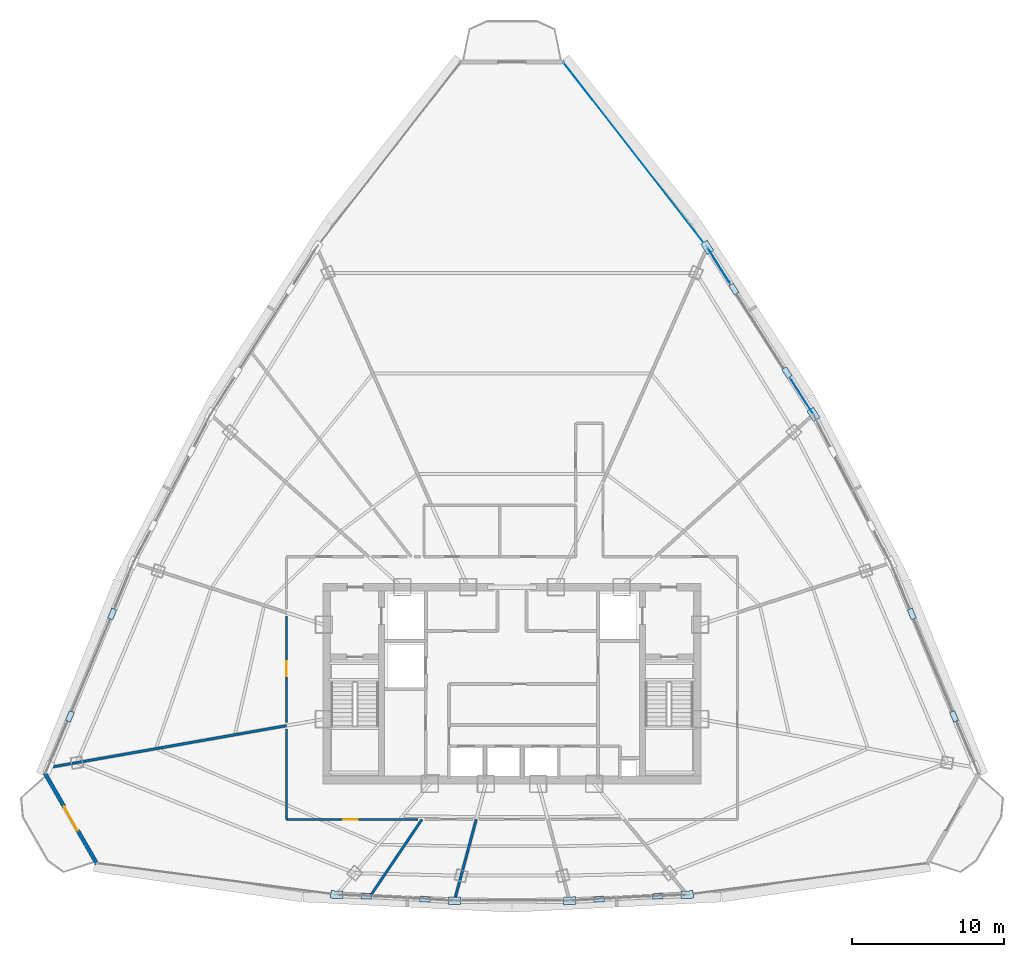
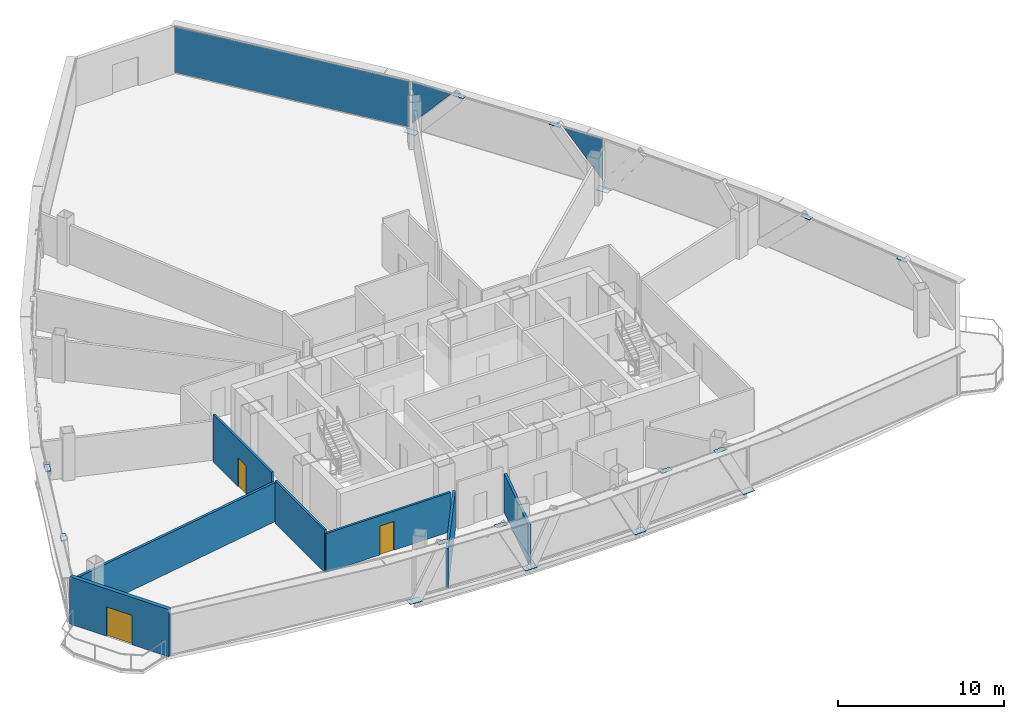
# One storey, part 29 of 35: 19 plates, 7 walls, 3 doors, 3 openings, 2 elements without a shape of their own.
"""IFC4 building model written with IfcOpenShell, lengths in metres."""

from ifc_helpers import new_model, si_unit, direction, frame, frame_2d, origin, origin_with_axes, origin_2d, place, context, subcontext, project, spatial, polyline, rectangle, outline, extrude, source, transform, mapped, material, layer, layer_set, type_object, element, fill, aggregate, save


model = new_model("IFC4")

# Units and contexts
model_context = context("Model", 3, precision=1e-05, world=origin(), true_north=direction((0.0, 1.0)))
body_context = subcontext(model_context, "Body", "Model", "MODEL_VIEW")
ifc_project = project(units=[si_unit("LENGTHUNIT", "METRE"), si_unit("AREAUNIT", "SQUARE_METRE"), si_unit("VOLUMEUNIT", "CUBIC_METRE"), si_unit("PLANEANGLEUNIT", "RADIAN"), si_unit("MASSUNIT", "GRAM", prefix="KILO"), si_unit("THERMODYNAMICTEMPERATUREUNIT", "KELVIN"), si_unit("POWERUNIT", "WATT")], contexts=[model_context])

# Site, building, storey
site_placement = place(None, origin())
site = spatial("IfcSite", under=ifc_project, at=site_placement, CompositionType="ELEMENT")
building_placement = place(site_placement, origin())
building = spatial("IfcBuilding", under=site, at=building_placement, Name="Yunzhuo Pagoda Commons", CompositionType="ELEMENT")
storey_placement = place(building_placement, frame((0.0, 0.0, 303.669921875)))
storey = spatial("IfcBuildingStorey", under=building, at=storey_placement, Name="L76", CompositionType="ELEMENT", Elevation=303.669921875)

# Curtain wall, plates
ifc_material_1 = material(Name="Anodized aluminium 6063-T6", Category="aluminium")
ifc_layer_1 = layer(ifc_material_1, 0.139892578125)
ifc_layer_set_1 = layer_set([ifc_layer_1], Name="Anodized aluminium 6063-T6")
curtain_wall_type = type_object("IfcCurtainWallType", Name="CW-HI High-Zone Ribbon Curtain Wall", PredefinedType="NOTDEFINED", material=ifc_layer_set_1)
curtain_wall_1_placement = place(storey_placement, origin())
curtain_wall_1 = element("IfcCurtainWall", 1, at=curtain_wall_1_placement, inside=storey, type_object=curtain_wall_type, Name="L76 curtain wall CW-L76-F2B4", PredefinedType="NOTDEFINED")
ifc_material_2 = material(Name="Tempered low-e double glazing", Category="glass")
ifc_layer_2 = layer(ifc_material_2, 0.02587890625)
ifc_layer_set_2 = layer_set([ifc_layer_2], Name="Tempered low-e double glazing")
plate_type_1 = type_object("IfcPlateType", Name="CW-HI-P Low-E Double Glazing 26", PredefinedType="CURTAIN_PANEL", material=ifc_layer_set_2)
plate_1_placement = place(storey_placement, frame((67.108642578125, 52.74560546875, 1.900390625), z_axis=(0.843909804597, 0.536485080599, 0.0), x_axis=(-0.536485080599, 0.843909804597, 0.0)))
plate_1 = element("IfcPlate", 2, at=plate_1_placement, type_object=plate_type_1, Name="CW panel 1.1 lite 1", PredefinedType="CURTAIN_PANEL", context=body_context, shape_type="SweptSolid", body=[
    extrude(outline(polyline([(-1.32421875, -1.514404296875), (1.32421875, 1.514404296875), (-1.32421875, 1.514404296875), (-1.32421875, -1.514404296875)])), origin(), (0.0, 0.0, 1.0), 0.028076171875),
])
plate_2_placement = place(storey_placement, frame((61.59521484375, 61.418212890625, 1.900390625), z_axis=(0.843909804597, 0.536485080599, 0.0), x_axis=(-0.536485080599, 0.843909804597, 0.0)))
plate_2 = element("IfcPlate", 3, at=plate_2_placement, type_object=plate_type_1, Name="CW panel 1.1 lite 3", PredefinedType="CURTAIN_PANEL", context=body_context, shape_type="SweptSolid", body=[
    extrude(outline(polyline([(-1.32421875, 1.514404296875), (1.32421875, -1.514404296875), (1.32421875, 1.514404296875), (-1.32421875, 1.514404296875)])), origin(), (0.0, 0.0, 1.0), 0.028076171875),
])
aggregate(curtain_wall_1, [plate_1, plate_2])

# Plates
ifc_material_3 = material(Name="Structural steel Q355B", Category="steel")
ifc_layer_3 = layer(ifc_material_3, 0.028076171875)
ifc_layer_set_3 = layer_set([ifc_layer_3], Name="Structural steel Q355B")
plate_type_2 = type_object("IfcPlateType", Name="SP-ND1 Lattice Node Cap Plate 800x500x28", PredefinedType="USERDEFINED", material=ifc_layer_set_3)
shared_shape_1 = source(origin(), body_context, "Body", "SweptSolid", [
    extrude(rectangle(XDim=0.800048828125, YDim=0.5, at=origin_2d()), origin(), (0.0, 0.0, 1.0), 0.028076171875),
])
for number, where, z_axis, x_axis, name in (
    (4, (36.45849609375, 19.9453125, -0.27392578125), (0.0, 0.0, 1.0), (0.998674826237, -0.051464467756, 0.0), "L76 diamond node plate F1.1A"),
    (5, (44.20751953125, 19.5458984375, -0.27392578125), (0.0, 0.0, 1.0), (1.0, 0.0, 0.0), "L76 diamond node plate F1.2A"),
    (6, (51.79248046875, 19.5458984375, -0.27392578125), (0.0, 0.0, 1.0), (0.998674826237, 0.051464467756, 0.0), "L76 diamond node plate F1.3A"),
    (7, (59.54150390625, 19.9453125, -0.27392578125), (0.0, 0.0, 1.0), (0.998674826237, 0.051464467756, 0.0), "L76 diamond node plate F1.3B"),
    (8, (67.86328125, 51.5849609375, -0.27392578125), (0.0, 0.0, 1.0), (-0.53648976325, 0.843906827753, 0.0), "L76 diamond node plate F2.3A"),
    (9, (60.864501953125, 62.593994140625, -0.27392578125), (0.0, 0.0, 1.0), (-0.53648976325, 0.843906827753, 0.0), "L76 diamond node plate F2.3B"),
):
    element("IfcPlate", number, at=place(storey_placement, frame(where, z_axis=z_axis, x_axis=x_axis)), inside=storey, type_object=plate_type_2, Name=name, ObjectType="STIFFENER_PLATE", PredefinedType="USERDEFINED", context=body_context, shape_type="MappedRepresentation", body=[
        mapped(shared_shape_1, transform((0.0, 0.0, 0.0), scale=1.0)),
    ])
shared_shape_2 = source(origin(), body_context, "Body", "SweptSolid", [
    extrude(rectangle(XDim=0.699951171875, YDim=0.35009765625, at=origin_2d()), origin(), (0.0, 0.0, 1.0), 0.035888671875),
])
for number, where, z_axis, x_axis, name in (
    (10, (38.395751953125, 19.845458984375, 3.43212890625), (0.0, 0.0, 1.0), (0.998674826237, -0.051464467756, 0.0), "L76 setback lattice tie plate F1.1L"),
    (11, (42.270263671875, 19.645751953125, 3.43212890625), (0.0, 0.0, 1.0), (0.998674826237, -0.051464467756, 0.0), "L76 setback lattice tie plate F1.1R"),
    (12, (53.729736328125, 19.645751953125, 3.43212890625), (0.0, 0.0, 1.0), (0.998674826237, 0.051464467756, 0.0), "L76 setback lattice tie plate F1.3L"),
    (13, (57.604248046875, 19.845458984375, 3.43212890625), (0.0, 0.0, 1.0), (0.998674826237, 0.051464467756, 0.0), "L76 setback lattice tie plate F1.3R"),
    (14, (77.122802734375, 31.69140625, 3.43212890625), (0.0, 0.0, 1.0), (-0.381344677903, 0.924432927061, 0.0), "L76 setback lattice tie plate F2.1L"),
    (15, (74.341064453125, 38.434814453125, 3.43212890625), (0.0, 0.0, 1.0), (-0.381344677903, 0.924432927061, 0.0), "L76 setback lattice tie plate F2.1R"),
    (16, (66.113525390625, 54.337158203125, 3.43212890625), (0.0, 0.0, 1.0), (-0.53648976325, 0.843906827753, 0.0), "L76 setback lattice tie plate F2.3L"),
    (17, (62.6142578125, 59.841796875, 3.43212890625), (0.0, 0.0, 1.0), (-0.53648976325, 0.843906827753, 0.0), "L76 setback lattice tie plate F2.3R"),
    (18, (21.6591796875, 38.434814453125, 3.43212890625), (0.0, 0.0, 1.0), (-0.381344677903, -0.924432927061, 0.0), "L76 setback lattice tie plate F3.3L"),
    (19, (18.877197265625, 31.69140625, 3.43212890625), (0.0, 0.0, 1.0), (-0.381344677903, -0.924432927061, 0.0), "L76 setback lattice tie plate F3.3R"),
):
    element("IfcPlate", number, at=place(storey_placement, frame(where, z_axis=z_axis, x_axis=x_axis)), inside=storey, type_object=plate_type_2, Name=name, ObjectType="STIFFENER_PLATE", PredefinedType="USERDEFINED", context=body_context, shape_type="MappedRepresentation", body=[
        mapped(shared_shape_2, transform((0.0, 0.0, 0.0), scale=1.0)),
    ])

# Curtain wall, plate
curtain_wall_2_placement = place(storey_placement, origin())
curtain_wall_2 = element("IfcCurtainWall", 20, at=curtain_wall_2_placement, inside=storey, type_object=curtain_wall_type, Name="L76 curtain wall CW-L76-F2B5", PredefinedType="NOTDEFINED")
shared_shape_3 = source(origin(), body_context, "Body", "SweptSolid", [
    extrude(rectangle(XDim=15.251708984375, YDim=0.028076171875, at=origin_2d()), origin(), (0.0, 0.0, 1.0), 3.360107421875),
])
plate_3_placement = place(storey_placement, frame((56.1005859375, 68.720703125, 0.05517578125), z_axis=(0.0, 0.0, 1.0), x_axis=(-0.613840173517, 0.78943032712, 0.0)))
plate_3 = element("IfcPlate", 21, at=plate_3_placement, type_object=plate_type_1, Name="CW panel 1.1", PredefinedType="CURTAIN_PANEL", context=body_context, shape_type="MappedRepresentation", body=[
    mapped(shared_shape_3, transform((0.0, 0.0, 0.0), scale=1.0)),
])
aggregate(curtain_wall_2, [plate_3])

# Wall, opening, door
ifc_material_4 = material(Name="Precast concrete C40", Category="concrete")
ifc_layer_4 = layer(ifc_material_4, 0.260009765625)
ifc_layer_set_4 = layer_set([ifc_layer_4], Name="Precast concrete C40")
wall_type_1 = type_object("IfcWallType", Name="W-BAL1 Corner Balcony Threshold Wall 260", PredefinedType="STANDARD", material=ifc_layer_set_4)
wall_1_placement = place(storey_placement, frame((17.223388671875, 27.95654296875, 0.0), z_axis=(0.0, 0.0, 1.0), x_axis=(0.49793943781, -0.867211805889, 0.0)))
wall_1 = element("IfcWall", 22, at=wall_1_placement, inside=storey, type_object=wall_type_1, Name="L76 corner balcony wall V1", PredefinedType="STANDARD", context=body_context, shape_type="SweptSolid", body=[
    extrude(rectangle(XDim=6.903076171875, YDim=0.260009765625, at=frame_2d((3.45166015625, 0.0))), origin(), (0.0, 0.0, 1.0), 3.469970703125),
])
opening_1_placement = place(wall_1_placement, frame((2.551513671875, 0.0, 0.0)))
opening_1 = element("IfcOpeningElement", 23, at=opening_1_placement, cuts=wall_1, Name="Opening D-BAL1", PredefinedType="OPENING", context=body_context, shape_type="SweptSolid", body=[
    extrude(rectangle(XDim=1.800048828125, YDim=2.14990234375, at=frame_2d((0.89990234375, 1.074951171875))), frame((0.0, 0.14013671875, 0.0), z_axis=(0.0, -1.0, 0.0), x_axis=(1.0, 0.0, 0.0)), (0.0, 0.0, 1.0), 0.280029296875),
])
ifc_material_5 = material(Name="Anodized aluminium frame and tempered glazed leaf", Category="aluminium")
door_type_1 = type_object("IfcDoorType", Name="D-BAL1 Corner Balcony Sliding Glazed Door 1800x2150", OperationType="DOUBLE_DOOR_SLIDING", PredefinedType="DOOR", material=ifc_material_5)
shared_shape_4 = source(origin(), body_context, "Body", "SweptSolid", [
    extrude(rectangle(XDim=1.800048828125, YDim=2.14990234375, at=frame_2d((0.89990234375, 1.074951171875))), frame((0.0, 0.02490234375, 0.0), z_axis=(0.0, -1.0, 0.0), x_axis=(1.0, 0.0, 0.0)), (0.0, 0.0, 1.0), 0.050048828125),
])
door_1_placement = place(opening_1_placement, origin_with_axes())
door_1 = element("IfcDoor", 24, at=door_1_placement, inside=storey, type_object=door_type_1, Name="L76 corner balcony sliding door V1", OperationType="DOUBLE_DOOR_SLIDING", OverallHeight=2.14990234375, OverallWidth=1.800048828125, PredefinedType="DOOR", context=body_context, shape_type="MappedRepresentation", body=[
    mapped(shared_shape_4, transform((0.0, 0.0, 0.0), scale=1.0)),
])
fill(opening_1, door_1)

# Wall
ifc_material_6 = material(Name="Gypsum plasterboard on acoustic stud")
ifc_layer_5 = layer(ifc_material_6, 0.14990234375)
ifc_layer_set_5 = layer_set([ifc_layer_5], Name="Gypsum plasterboard on acoustic stud")
wall_type_2 = type_object("IfcWallType", Name="W-COR3 High-Zone Rated Corridor Wall 150", PredefinedType="PARTITIONING", material=ifc_layer_set_5)
wall_2_placement = place(storey_placement, frame((33.14990234375, 24.89990234375, 0.0), z_axis=(0.0, 0.0, 1.0), x_axis=(0.0, 1.0, 0.0)))
element("IfcWall", 25, at=wall_2_placement, inside=storey, type_object=wall_type_2, Name="L76 interior wall IW-L76-CWL01", PredefinedType="PARTITIONING", context=body_context, shape_type="SweptSolid", body=[
    extrude(rectangle(XDim=5.958251953125, YDim=0.14990234375, at=frame_2d((2.97900390625, 0.0))), origin(), (0.0, 0.0, 1.0), 3.1201171875),
])

# Wall, opening, door
wall_3_placement = place(storey_placement, frame((33.14990234375, 31.30126953125, 0.0), z_axis=(0.0, 0.0, 1.0), x_axis=(0.0, 1.0, 0.0)))
wall_3 = element("IfcWall", 26, at=wall_3_placement, inside=storey, type_object=wall_type_2, Name="L76 interior wall IW-L76-CWL02", PredefinedType="PARTITIONING", context=body_context, shape_type="SweptSolid", body=[
    extrude(rectangle(XDim=7.004150390625, YDim=0.14990234375, at=frame_2d((3.501953125, 0.0))), origin(), (0.0, 0.0, 1.0), 3.469970703125),
])
opening_2_placement = place(wall_3_placement, frame((3.027099609375, 0.0, 0.0)))
opening_2 = element("IfcOpeningElement", 27, at=opening_2_placement, cuts=wall_3, Name="Opening D-08", PredefinedType="OPENING", context=body_context, shape_type="SweptSolid", body=[
    extrude(rectangle(XDim=0.97998046875, YDim=2.1201171875, at=frame_2d((0.489990234375, 1.06005859375))), frame((0.0, 0.0849609375, 0.0), z_axis=(0.0, -1.0, 0.0), x_axis=(1.0, 0.0, 0.0)), (0.0, 0.0, 1.0), 0.169921875),
])
ifc_material_7 = material(Name="Galvanized fire-resisting metal leaf")
door_type_2 = type_object("IfcDoorType", Name="D-08 High-Zone Suite Entrance Fire Door 980x2120", OperationType="NOTDEFINED", PredefinedType="DOOR", material=ifc_material_7)
shared_shape_5 = source(origin(), body_context, "Body", "SweptSolid", [
    extrude(rectangle(XDim=0.97998046875, YDim=2.1201171875, at=frame_2d((0.489990234375, 1.06005859375))), frame((0.0, 0.02490234375, 0.0), z_axis=(0.0, -1.0, 0.0), x_axis=(1.0, 0.0, 0.0)), (0.0, 0.0, 1.0), 0.050048828125),
])
door_2_placement = place(opening_2_placement, origin_with_axes())
door_2 = element("IfcDoor", 28, at=door_2_placement, inside=storey, type_object=door_type_2, Name="L76 unit 07 entrance door", OperationType="SINGLE_SWING_LEFT", OverallHeight=2.1201171875, OverallWidth=0.97998046875, PredefinedType="DOOR", context=body_context, shape_type="MappedRepresentation", body=[
    mapped(shared_shape_5, transform((0.0, 0.0, 0.0), scale=1.0)),
])
fill(opening_2, door_2)

wall_4_placement = place(storey_placement, frame((41.798828125, 24.89990234375, 0.0), z_axis=(0.0, 0.0, 1.0), x_axis=(-1.0, 0.0, 0.0)))
wall_4 = element("IfcWall", 29, at=wall_4_placement, inside=storey, type_object=wall_type_2, Name="L76 interior wall IW-L76-CWL19", PredefinedType="PARTITIONING", context=body_context, shape_type="SweptSolid", body=[
    extrude(rectangle(XDim=8.64892578125, YDim=0.14990234375, at=frame_2d((4.324462890625, 0.0))), origin(), (0.0, 0.0, 1.0), 2.8701171875),
])
opening_3_placement = place(wall_4_placement, frame((3.94677734375, 0.0, 0.0)))
opening_3 = element("IfcOpeningElement", 30, at=opening_3_placement, cuts=wall_4, Name="Opening D-08", PredefinedType="OPENING", context=body_context, shape_type="SweptSolid", body=[
    extrude(rectangle(XDim=0.97998046875, YDim=2.1201171875, at=frame_2d((0.489990234375, 1.06005859375))), frame((0.0, 0.0849609375, 0.0), z_axis=(0.0, -1.0, 0.0), x_axis=(1.0, 0.0, 0.0)), (0.0, 0.0, 1.0), 0.169921875),
])
door_3_placement = place(opening_3_placement, origin_with_axes())
door_3 = element("IfcDoor", 31, at=door_3_placement, inside=storey, type_object=door_type_2, Name="L76 Shared Resident Kitchen and Pantry door", OperationType="SINGLE_SWING_RIGHT", OverallHeight=2.1201171875, OverallWidth=0.97998046875, PredefinedType="DOOR", context=body_context, shape_type="MappedRepresentation", body=[
    mapped(shared_shape_5, transform((0.0, 0.0, 0.0), scale=1.0)),
])
fill(opening_3, door_3)

# Walls
ifc_layer_6 = layer(ifc_material_6, 0.169921875)
ifc_layer_set_6 = layer_set([ifc_layer_6], Name="Gypsum plasterboard on acoustic stud")
wall_type_3 = type_object("IfcWallType", Name="W-PRT4 High-Zone Demising Wall 170", PredefinedType="PARTITIONING", material=ifc_layer_set_6)
wall_5_placement = place(storey_placement, frame((33.14990234375, 31.08154296875, 0.0), z_axis=(0.0, 0.0, 1.0), x_axis=(-0.984807655248, -0.173648732116, 0.0)))
element("IfcWall", 32, at=wall_5_placement, inside=storey, type_object=wall_type_3, Name="L76 interior wall IW-L76-RAD08", PredefinedType="PARTITIONING", context=body_context, shape_type="SweptSolid", body=[
    extrude(rectangle(XDim=15.905517578125, YDim=0.169921875, at=frame_2d((7.95263671875, 0.0))), origin(), (0.0, 0.0, 1.0), 2.8701171875),
])
wall_6_placement = place(storey_placement, frame((42.064208984375, 24.89990234375, 0.0), z_axis=(0.0, 0.0, 1.0), x_axis=(-0.559190191843, -0.829039401564, 0.0)))
element("IfcWall", 33, at=wall_6_placement, inside=storey, type_object=wall_type_3, Name="L76 interior wall IW-L76-RAD09", PredefinedType="PARTITIONING", context=body_context, shape_type="SweptSolid", body=[
    extrude(rectangle(XDim=6.1123046875, YDim=0.169921875, at=frame_2d((3.05615234375, 0.0))), origin(), (0.0, 0.0, 1.0), 2.8701171875),
])
wall_7_placement = place(storey_placement, frame((45.64208984375, 24.89990234375, 0.0), z_axis=(0.0, 0.0, 1.0), x_axis=(-0.258813875707, -0.96592721141, 0.0)))
element("IfcWall", 34, at=wall_7_placement, inside=storey, type_object=wall_type_3, Name="L76 interior wall IW-L76-RAD10", PredefinedType="PARTITIONING", context=body_context, shape_type="SweptSolid", body=[
    extrude(rectangle(XDim=5.54296875, YDim=0.169921875, at=frame_2d((2.771484375, 0.0))), origin(), (0.0, 0.0, 1.0), 2.8701171875),
])

save(model, "model.ifc")
